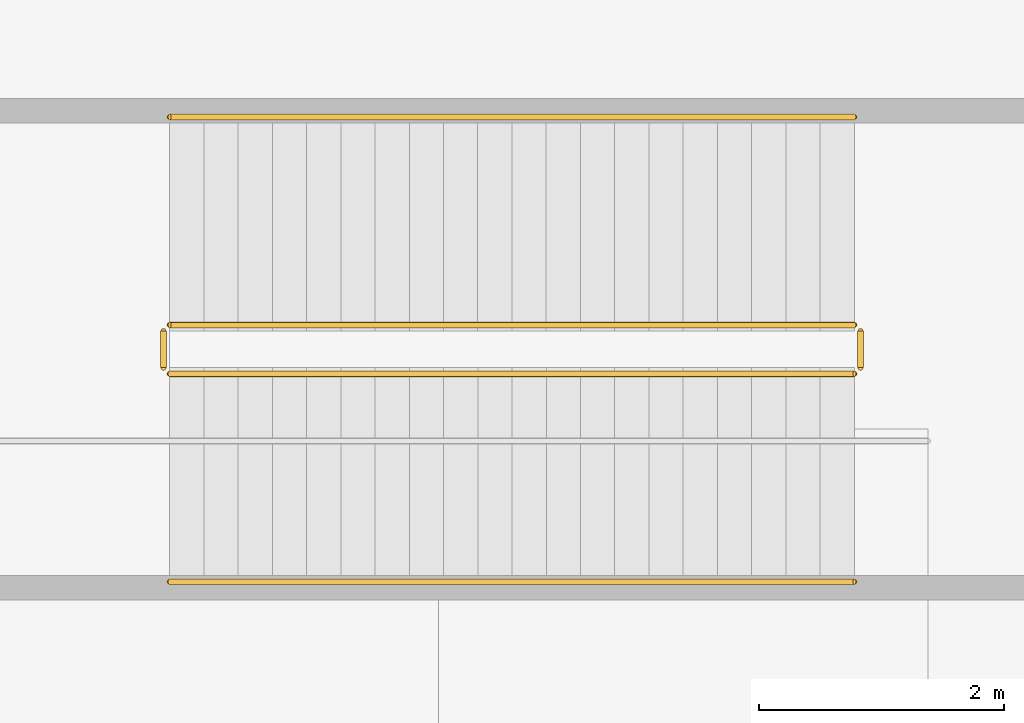
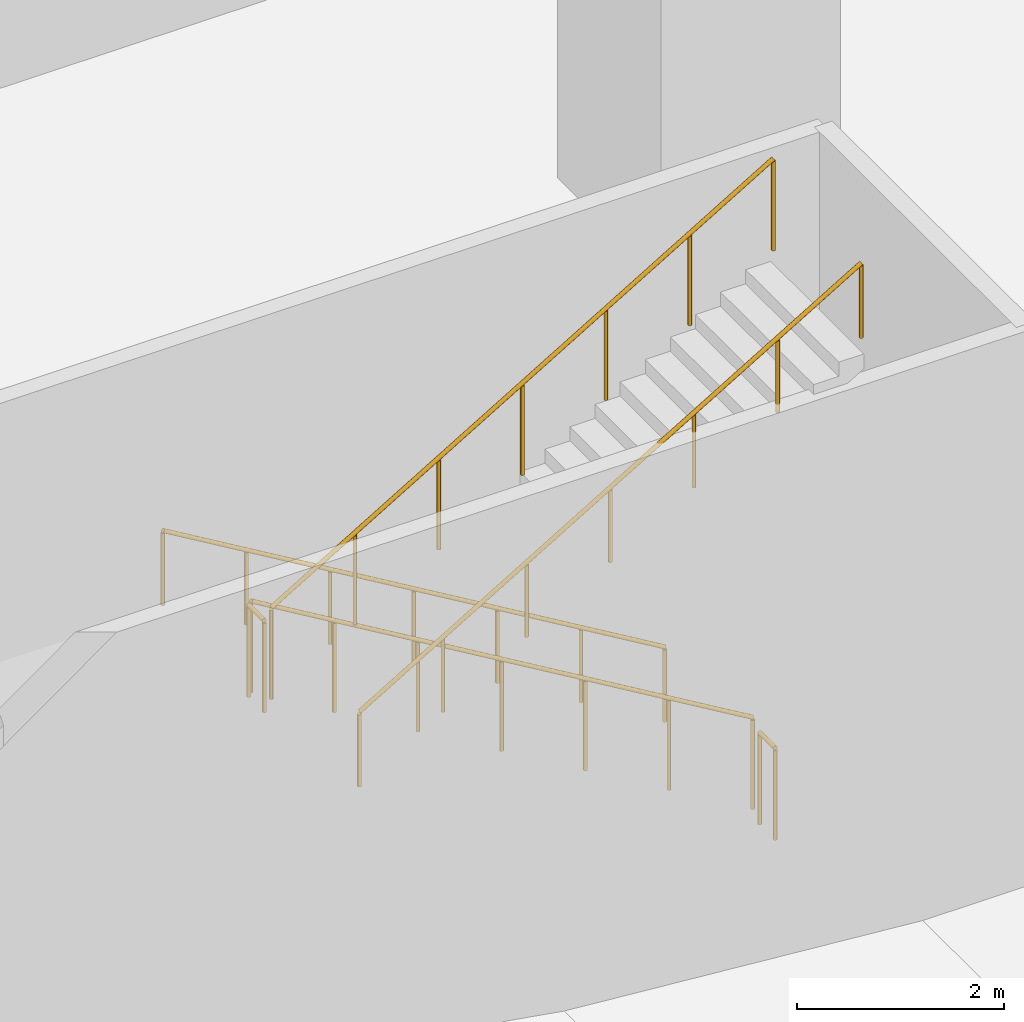
# One storey, part 25 of 30: 6 railings.
"""IFC4 building model written with IfcOpenShell, lengths in metres."""

from ifc_helpers import new_model, si_unit, direction, frame, origin, origin_2d, place, context, subcontext, project, spatial, circle, extrude, material, type_object, element, save


model = new_model("IFC4")

# Units and contexts
model_context = context("Model", 3, precision=1e-05, world=origin(), true_north=direction((0.0, 1.0)))
body_context = subcontext(model_context, "Body", "Model", "MODEL_VIEW")
ifc_project = project(units=[si_unit("LENGTHUNIT", "METRE"), si_unit("AREAUNIT", "SQUARE_METRE"), si_unit("VOLUMEUNIT", "CUBIC_METRE"), si_unit("PLANEANGLEUNIT", "RADIAN"), si_unit("MASSUNIT", "GRAM", prefix="KILO")], contexts=[model_context])

# Site, building, storey
site_placement = place(None, origin())
site = spatial("IfcSite", under=ifc_project, at=site_placement, CompositionType="ELEMENT")
building_placement = place(site_placement, origin())
building = spatial("IfcBuilding", under=site, at=building_placement, Name="Tamarind Cross Interchange Tower", CompositionType="ELEMENT")
storey_placement = place(building_placement, frame((0.0, 0.0, -14.0)))
storey = spatial("IfcBuildingStorey", under=building, at=storey_placement, Name="B2", CompositionType="ELEMENT", Elevation=-14.0)

# Railings
ifc_material_1 = material(Name="Public stair guard")
railing_type_1 = type_object("IfcRailingType", Name="Public stair guard", PredefinedType="GUARDRAIL", material=ifc_material_1)
railing_1_placement = place(storey_placement, frame((-18.300048828125, 44.64990234375, 0.166748046875)))
element("IfcRailing", 1, at=railing_1_placement, inside=storey, type_object=railing_type_1, Name="B2 XS-P06 stair guard 1", PredefinedType="GUARDRAIL", context=body_context, shape_type="SweptSolid", body=[
    extrude(circle(Radius=0.02392578125, at=origin_2d()), frame((0.0, 0.0, 1.076171875), z_axis=(-0.859292492371, 0.0, 0.511484518392), x_axis=(0.0, -1.0, 0.0)), (0.0, 0.0, 1.0), 6.516845703125),
    extrude(circle(Radius=0.02099609375, at=origin_2d()), origin(), (0.0, 0.0, 1.0), 1.052001953125),
    extrude(circle(Radius=0.02099609375, at=origin_2d()), frame((-0.933349609375, 0.0, 0.5556640625)), (0.0, 0.0, 1.0), 1.052001953125),
    extrude(circle(Radius=0.02099609375, at=origin_2d()), frame((-1.86669921875, 0.0, 1.111083984375)), (0.0, 0.0, 1.0), 1.052001953125),
    extrude(circle(Radius=0.02099609375, at=origin_2d()), frame((-2.7998046875, 0.0, 1.66650390625)), (0.0, 0.0, 1.0), 1.052001953125),
    extrude(circle(Radius=0.02099609375, at=origin_2d()), frame((-3.733154296875, 0.0, 2.22216796875)), (0.0, 0.0, 1.0), 1.052001953125),
    extrude(circle(Radius=0.02099609375, at=origin_2d()), frame((-4.66650390625, 0.0, 2.77783203125)), (0.0, 0.0, 1.0), 1.052001953125),
    extrude(circle(Radius=0.02099609375, at=origin_2d()), frame((-5.599853515625, 0.0, 3.333251953125)), (0.0, 0.0, 1.0), 1.052001953125),
])
railing_2_placement = place(storey_placement, frame((-23.949951171875, 44.60009765625, 3.5)))
element("IfcRailing", 2, at=railing_2_placement, inside=storey, type_object=railing_type_1, Name="B2 XS-P06 stair guard 2", PredefinedType="GUARDRAIL", context=body_context, shape_type="SweptSolid", body=[
    extrude(circle(Radius=0.02392578125, at=origin_2d()), frame((0.0, 0.0, 1.076171875), z_axis=(0.0, -1.0, 0.0), x_axis=(1.0, 0.0, 0.0)), (0.0, 0.0, 1.0), 0.300048828125),
    extrude(circle(Radius=0.02099609375, at=origin_2d()), origin(), (0.0, 0.0, 1.0), 1.052001953125),
    extrude(circle(Radius=0.02099609375, at=origin_2d()), frame((0.0, -0.300048828125, 0.0)), (0.0, 0.0, 1.0), 1.052001953125),
])
railing_3_placement = place(storey_placement, frame((-23.89990234375, 44.25, 3.666748046875)))
element("IfcRailing", 3, at=railing_3_placement, inside=storey, type_object=railing_type_1, Name="B2 XS-P06 stair guard 3", PredefinedType="GUARDRAIL", context=body_context, shape_type="SweptSolid", body=[
    extrude(circle(Radius=0.02392578125, at=origin_2d()), frame((0.0, 0.0, 1.076171875), z_axis=(0.859292492371, 0.0, 0.511484518392), x_axis=(0.0, 1.0, 0.0)), (0.0, 0.0, 1.0), 6.516845703125),
    extrude(circle(Radius=0.02099609375, at=origin_2d()), origin(), (0.0, 0.0, 1.0), 1.052001953125),
    extrude(circle(Radius=0.02099609375, at=origin_2d()), frame((0.933349609375, 0.0, 0.5556640625)), (0.0, 0.0, 1.0), 1.052001953125),
    extrude(circle(Radius=0.02099609375, at=origin_2d()), frame((1.86669921875, 0.0, 1.111083984375)), (0.0, 0.0, 1.0), 1.052001953125),
    extrude(circle(Radius=0.02099609375, at=origin_2d()), frame((2.7998046875, 0.0, 1.66650390625)), (0.0, 0.0, 1.0), 1.052001953125),
    extrude(circle(Radius=0.02099609375, at=origin_2d()), frame((3.733154296875, 0.0, 2.22216796875)), (0.0, 0.0, 1.0), 1.052001953125),
    extrude(circle(Radius=0.02099609375, at=origin_2d()), frame((4.66650390625, 0.0, 2.77783203125)), (0.0, 0.0, 1.0), 1.052001953125),
    extrude(circle(Radius=0.02099609375, at=origin_2d()), frame((5.599853515625, 0.0, 3.333251953125)), (0.0, 0.0, 1.0), 1.052001953125),
])
railing_4_placement = place(storey_placement, frame((-18.25, 44.60009765625, 0.0)))
element("IfcRailing", 4, at=railing_4_placement, inside=storey, type_object=railing_type_1, Name="B2 XS-P06 stair guard 4", PredefinedType="GUARDRAIL", context=body_context, shape_type="SweptSolid", body=[
    extrude(circle(Radius=0.02392578125, at=origin_2d()), frame((0.0, 0.0, 1.076171875), z_axis=(0.0, -1.0, 0.0), x_axis=(1.0, 0.0, 0.0)), (0.0, 0.0, 1.0), 0.300048828125),
    extrude(circle(Radius=0.02099609375, at=origin_2d()), origin(), (0.0, 0.0, 1.0), 1.052001953125),
    extrude(circle(Radius=0.02099609375, at=origin_2d()), frame((0.0, -0.300048828125, 0.0)), (0.0, 0.0, 1.0), 1.052001953125),
])
ifc_material_2 = material(Name="Public stair handrail")
railing_type_2 = type_object("IfcRailingType", Name="Public stair handrail", PredefinedType="HANDRAIL", material=ifc_material_2)
railing_5_placement = place(storey_placement, frame((-18.300048828125, 46.35009765625, 0.166748046875)))
element("IfcRailing", 5, at=railing_5_placement, inside=storey, type_object=railing_type_2, Name="B2 XS-P06 stair handrail 1", PredefinedType="HANDRAIL", context=body_context, shape_type="SweptSolid", body=[
    extrude(circle(Radius=0.02392578125, at=origin_2d()), frame((0.0, 0.0, 0.8759765625), z_axis=(-0.859292492371, 0.0, 0.511484518392), x_axis=(0.0, -1.0, 0.0)), (0.0, 0.0, 1.0), 6.516845703125),
    extrude(circle(Radius=0.02099609375, at=origin_2d()), origin(), (0.0, 0.0, 1.0), 0.851806640625),
    extrude(circle(Radius=0.02099609375, at=origin_2d()), frame((-0.933349609375, 0.0, 0.5556640625)), (0.0, 0.0, 1.0), 0.851806640625),
    extrude(circle(Radius=0.02099609375, at=origin_2d()), frame((-1.86669921875, 0.0, 1.111083984375)), (0.0, 0.0, 1.0), 0.851806640625),
    extrude(circle(Radius=0.02099609375, at=origin_2d()), frame((-2.7998046875, 0.0, 1.66650390625)), (0.0, 0.0, 1.0), 0.851806640625),
    extrude(circle(Radius=0.02099609375, at=origin_2d()), frame((-3.733154296875, 0.0, 2.22216796875)), (0.0, 0.0, 1.0), 0.851806640625),
    extrude(circle(Radius=0.02099609375, at=origin_2d()), frame((-4.66650390625, 0.0, 2.77783203125)), (0.0, 0.0, 1.0), 0.851806640625),
    extrude(circle(Radius=0.02099609375, at=origin_2d()), frame((-5.599853515625, 0.0, 3.333251953125)), (0.0, 0.0, 1.0), 0.851806640625),
])
railing_6_placement = place(storey_placement, frame((-23.89990234375, 42.550048828125, 3.666748046875)))
element("IfcRailing", 6, at=railing_6_placement, inside=storey, type_object=railing_type_2, Name="B2 XS-P06 stair handrail 2", PredefinedType="HANDRAIL", context=body_context, shape_type="SweptSolid", body=[
    extrude(circle(Radius=0.02392578125, at=origin_2d()), frame((0.0, 0.0, 0.8759765625), z_axis=(0.859292492371, 0.0, 0.511484518392), x_axis=(0.0, 1.0, 0.0)), (0.0, 0.0, 1.0), 6.516845703125),
    extrude(circle(Radius=0.02099609375, at=origin_2d()), origin(), (0.0, 0.0, 1.0), 0.851806640625),
    extrude(circle(Radius=0.02099609375, at=origin_2d()), frame((0.933349609375, 0.0, 0.5556640625)), (0.0, 0.0, 1.0), 0.851806640625),
    extrude(circle(Radius=0.02099609375, at=origin_2d()), frame((1.86669921875, 0.0, 1.111083984375)), (0.0, 0.0, 1.0), 0.851806640625),
    extrude(circle(Radius=0.02099609375, at=origin_2d()), frame((2.7998046875, 0.0, 1.66650390625)), (0.0, 0.0, 1.0), 0.851806640625),
    extrude(circle(Radius=0.02099609375, at=origin_2d()), frame((3.733154296875, 0.0, 2.22216796875)), (0.0, 0.0, 1.0), 0.851806640625),
    extrude(circle(Radius=0.02099609375, at=origin_2d()), frame((4.66650390625, 0.0, 2.77783203125)), (0.0, 0.0, 1.0), 0.851806640625),
    extrude(circle(Radius=0.02099609375, at=origin_2d()), frame((5.599853515625, 0.0, 3.333251953125)), (0.0, 0.0, 1.0), 0.851806640625),
])

save(model, "model.ifc")
